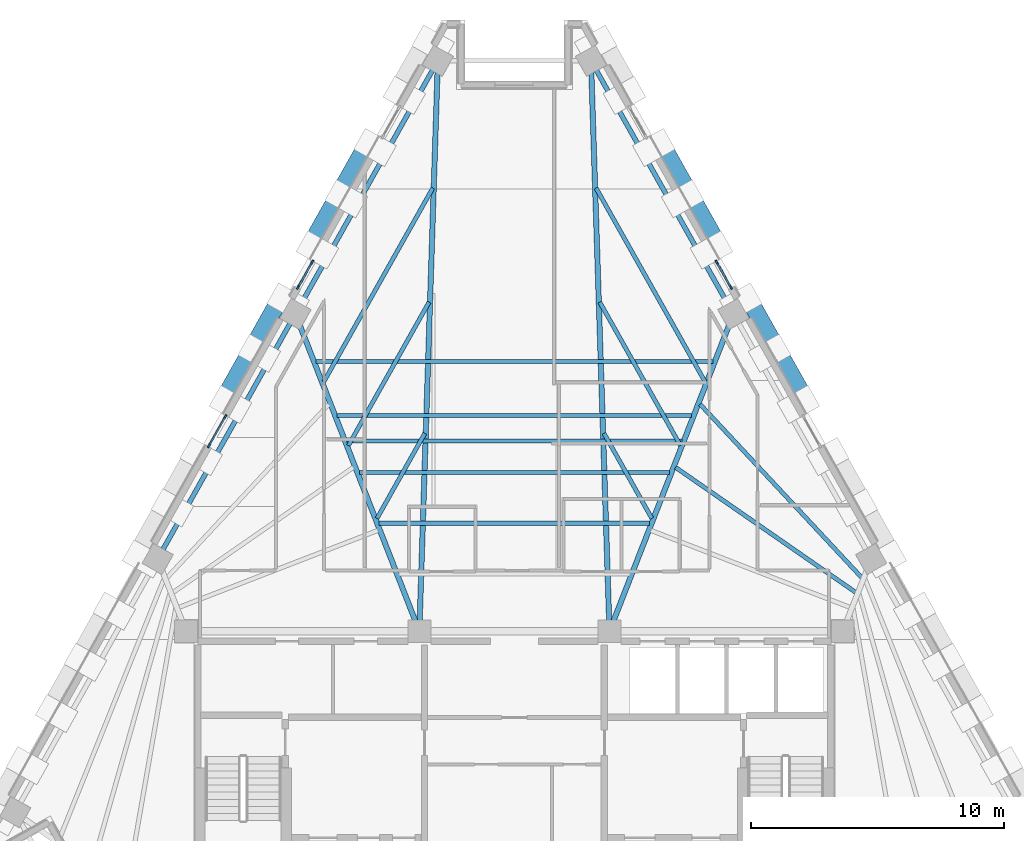
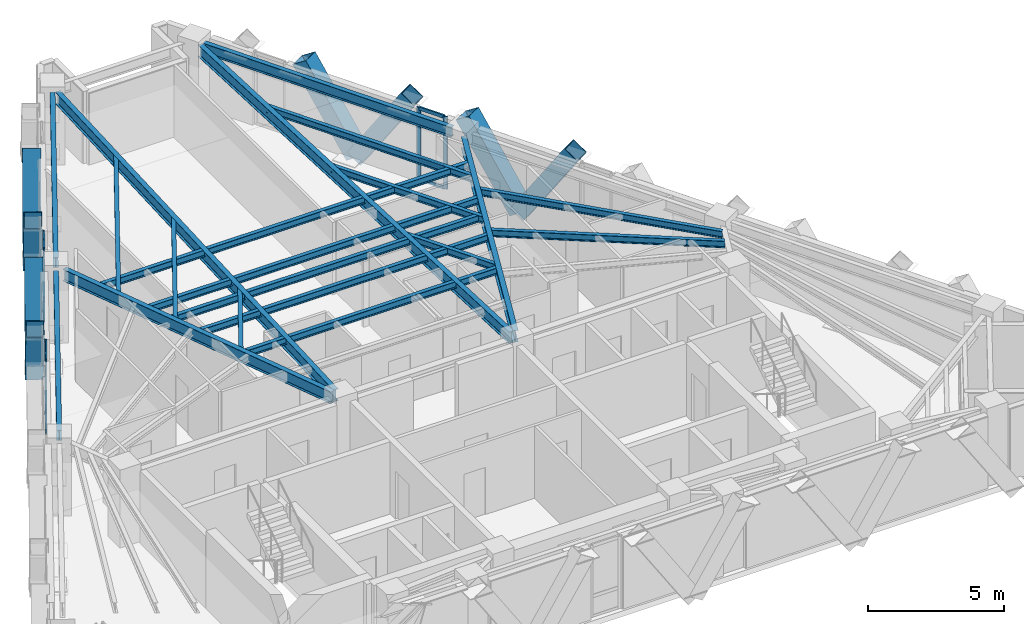
# One storey, part 3 of 12: 23 members, 20 beams, 3 elements without a shape of their own.
"""IFC4 building model written with IfcOpenShell, lengths in metres."""

from ifc_helpers import new_model, si_unit, direction, frame, origin, origin_2d, place, context, subcontext, project, spatial, rectangle, hollow_rectangle, i_section, extrude, material, material_profile, profile_set, type_object, element, aggregate, save


model = new_model("IFC4")

# Units and contexts
model_context = context("Model", 3, precision=1e-05, world=origin(), true_north=direction((0.0, 1.0)))
body_context = subcontext(model_context, "Body", "Model", "MODEL_VIEW")
ifc_project = project(units=[si_unit("LENGTHUNIT", "METRE"), si_unit("AREAUNIT", "SQUARE_METRE"), si_unit("VOLUMEUNIT", "CUBIC_METRE"), si_unit("PLANEANGLEUNIT", "RADIAN"), si_unit("MASSUNIT", "GRAM", prefix="KILO")], contexts=[model_context])

# Site, building, storey
site_placement = place(None, origin())
site = spatial("IfcSite", under=ifc_project, at=site_placement, CompositionType="ELEMENT")
building_placement = place(site_placement, origin())
building = spatial("IfcBuilding", under=site, at=building_placement, Name="Quenlor Broadcast Tower", CompositionType="ELEMENT")
storey_placement = place(building_placement, frame((0.0, 0.0, 211.39990234375)))
storey = spatial("IfcBuildingStorey", under=building, at=storey_placement, Name="L58", CompositionType="ELEMENT", Elevation=211.39990234375)

# Curtain wall, members
ifc_material_1 = material(Name="Architectural Terracotta and Low-E Glazing", Category="masonry")
curtain_wall_type = type_object("IfcCurtainWallType", Name="Unitised Terracotta Curtain Wall System Z4", PredefinedType="NOTDEFINED", material=ifc_material_1)
curtain_wall_1_placement = place(storey_placement, origin())
curtain_wall_1 = element("IfcCurtainWall", 1, at=curtain_wall_1_placement, inside=storey, type_object=curtain_wall_type, Name="L58 Curtain Wall CW4 (L58-NEA-G2)", PredefinedType="NOTDEFINED")
ifc_material_2 = material(Name="Aluminium 6063-T6", Category="aluminium")
ifc_material_profile_1 = material_profile(ifc_material_2, rectangle(XDim=0.068115234375, YDim=0.179931640625, at=origin_2d()))
ifc_profile_set_1 = profile_set([ifc_material_profile_1], Name="Aluminium 6063-T6 MULL68x180")
member_type_1 = type_object("IfcMemberType", Name="CW4 Aluminium Mullion MULL_CW4", PredefinedType="MULLION", material=ifc_profile_set_1)
member_1_placement = place(storey_placement, frame((7.979248046875, 9.755859375, 0.0), z_axis=(0.0, 0.0, 1.0), x_axis=(0.871557755022, 0.490292850918, 0.0)))
member_1 = element("IfcMember", 2, at=member_1_placement, type_object=member_type_1, Name="CW4 mullion 1", PredefinedType="MULLION", context=body_context, shape_type="SweptSolid", body=[
    extrude(rectangle(XDim=0.068115234375, YDim=0.179931640625, at=origin_2d()), origin(), (0.0, 0.0, 1.0), 3.25),
])
member_2_placement = place(storey_placement, frame((8.534912109375, 8.767822265625, 0.0), z_axis=(0.0, 0.0, 1.0), x_axis=(0.871557755022, 0.490292850918, 0.0)))
member_2 = element("IfcMember", 3, at=member_2_placement, type_object=member_type_1, Name="CW4 mullion 2", PredefinedType="MULLION", context=body_context, shape_type="SweptSolid", body=[
    extrude(rectangle(XDim=0.068115234375, YDim=0.179931640625, at=origin_2d()), origin(), (0.0, 0.0, 1.0), 3.25),
])

curtain_wall_2_placement = place(storey_placement, origin())
curtain_wall_2 = element("IfcCurtainWall", 4, at=curtain_wall_2_placement, inside=storey, type_object=curtain_wall_type, Name="L58 Curtain Wall CW4 (L58-NWC-G1)", PredefinedType="NOTDEFINED")
member_3_placement = place(storey_placement, frame((-8.534912109375, 8.767822265625, 0.0), z_axis=(0.0, 0.0, 1.0), x_axis=(-0.871557755022, 0.490292850918, 0.0)))
member_3 = element("IfcMember", 5, at=member_3_placement, type_object=member_type_1, Name="CW4 mullion 1", PredefinedType="MULLION", context=body_context, shape_type="SweptSolid", body=[
    extrude(rectangle(XDim=0.068115234375, YDim=0.179931640625, at=origin_2d()), origin(), (0.0, 0.0, 1.0), 3.25),
])
member_4_placement = place(storey_placement, frame((-7.979248046875, 9.755859375, 0.0), z_axis=(0.0, 0.0, 1.0), x_axis=(-0.871557755022, 0.490292850918, 0.0)))
member_4 = element("IfcMember", 6, at=member_4_placement, type_object=member_type_1, Name="CW4 mullion 2", PredefinedType="MULLION", context=body_context, shape_type="SweptSolid", body=[
    extrude(rectangle(XDim=0.068115234375, YDim=0.179931640625, at=origin_2d()), origin(), (0.0, 0.0, 1.0), 3.25),
])

curtain_wall_3_placement = place(storey_placement, origin())
curtain_wall_3 = element("IfcCurtainWall", 7, at=curtain_wall_3_placement, inside=storey, type_object=curtain_wall_type, Name="L58 Curtain Wall CW4 (L58-NW-G1)", PredefinedType="NOTDEFINED")
member_5_placement = place(storey_placement, frame((-12.049560546875, 2.519775390625, 0.0), z_axis=(0.0, 0.0, 1.0), x_axis=(-0.871560008943, 0.490288844266, 0.0)))
member_5 = element("IfcMember", 8, at=member_5_placement, type_object=member_type_1, Name="CW4 mullion 1", PredefinedType="MULLION", context=body_context, shape_type="SweptSolid", body=[
    extrude(rectangle(XDim=0.068115234375, YDim=0.179931640625, at=origin_2d()), origin(), (0.0, 0.0, 1.0), 3.25),
])
member_6_placement = place(storey_placement, frame((-11.408203125, 3.65966796875, 0.0), z_axis=(0.0, 0.0, 1.0), x_axis=(-0.871560008943, 0.490288844266, 0.0)))
member_6 = element("IfcMember", 9, at=member_6_placement, type_object=member_type_1, Name="CW4 mullion 2", PredefinedType="MULLION", context=body_context, shape_type="SweptSolid", body=[
    extrude(rectangle(XDim=0.068115234375, YDim=0.179931640625, at=origin_2d()), origin(), (0.0, 0.0, 1.0), 3.25),
])

# Member
ifc_material_3 = material(Name="Aluminium 6063-T6", Category="aluminium")
ifc_material_profile_2 = material_profile(ifc_material_3, rectangle(XDim=0.068115234375, YDim=0.14990234375, at=origin_2d()))
ifc_profile_set_2 = profile_set([ifc_material_profile_2], Name="Aluminium 6063-T6 TRAN68x150")
member_type_2 = type_object("IfcMemberType", Name="CW4 Aluminium Transom TRAN_CW4", PredefinedType="USERDEFINED", material=ifc_profile_set_2)
member_7_placement = place(storey_placement, frame((7.995849609375, 9.72607421875, 0.0341796875), z_axis=(0.490304750356, -0.871551060913, 0.0), x_axis=(0.871551060913, 0.490304750356, 0.0)))
member_7 = element("IfcMember", 10, at=member_7_placement, type_object=member_type_2, Name="CW4 transom 1.1", ObjectType="TRANSOM", PredefinedType="USERDEFINED", context=body_context, shape_type="SweptSolid", body=[
    extrude(rectangle(XDim=0.068115234375, YDim=0.14990234375, at=origin_2d()), origin(), (0.0, 0.0, 1.0), 1.065673828125),
])

member_8_placement = place(storey_placement, frame((7.995849609375, 9.72607421875, 0.9501953125), z_axis=(0.490304750356, -0.871551060913, 0.0), x_axis=(0.871551060913, 0.490304750356, 0.0)))
member_8 = element("IfcMember", 11, at=member_8_placement, type_object=member_type_2, Name="CW4 transom 1.2", ObjectType="TRANSOM", PredefinedType="USERDEFINED", context=body_context, shape_type="SweptSolid", body=[
    extrude(rectangle(XDim=0.068115234375, YDim=0.14990234375, at=origin_2d()), origin(), (0.0, 0.0, 1.0), 1.065673828125),
])

member_9_placement = place(storey_placement, frame((7.995849609375, 9.72607421875, 3.216064453125), z_axis=(0.490304750356, -0.871551060913, 0.0), x_axis=(0.871551060913, 0.490304750356, 0.0)))
member_9 = element("IfcMember", 12, at=member_9_placement, type_object=member_type_2, Name="CW4 transom 1.3", ObjectType="TRANSOM", PredefinedType="USERDEFINED", context=body_context, shape_type="SweptSolid", body=[
    extrude(rectangle(XDim=0.068115234375, YDim=0.14990234375, at=origin_2d()), origin(), (0.0, 0.0, 1.0), 1.065673828125),
])

aggregate(curtain_wall_1, [member_1, member_2, member_7, member_8, member_9])

member_10_placement = place(storey_placement, frame((-8.518310546875, 8.79736328125, 0.0341796875), z_axis=(0.490304750356, 0.871551060913, 0.0), x_axis=(-0.871551060913, 0.490304750356, 0.0)))
member_10 = element("IfcMember", 13, at=member_10_placement, type_object=member_type_2, Name="CW4 transom 1.1", ObjectType="TRANSOM", PredefinedType="USERDEFINED", context=body_context, shape_type="SweptSolid", body=[
    extrude(rectangle(XDim=0.068115234375, YDim=0.14990234375, at=origin_2d()), origin(), (0.0, 0.0, 1.0), 1.065673828125),
])

member_11_placement = place(storey_placement, frame((-8.518310546875, 8.79736328125, 0.9501953125), z_axis=(0.490304750356, 0.871551060913, 0.0), x_axis=(-0.871551060913, 0.490304750356, 0.0)))
member_11 = element("IfcMember", 14, at=member_11_placement, type_object=member_type_2, Name="CW4 transom 1.2", ObjectType="TRANSOM", PredefinedType="USERDEFINED", context=body_context, shape_type="SweptSolid", body=[
    extrude(rectangle(XDim=0.068115234375, YDim=0.14990234375, at=origin_2d()), origin(), (0.0, 0.0, 1.0), 1.065673828125),
])

member_12_placement = place(storey_placement, frame((-8.518310546875, 8.79736328125, 3.216064453125), z_axis=(0.490304750356, 0.871551060913, 0.0), x_axis=(-0.871551060913, 0.490304750356, 0.0)))
member_12 = element("IfcMember", 15, at=member_12_placement, type_object=member_type_2, Name="CW4 transom 1.3", ObjectType="TRANSOM", PredefinedType="USERDEFINED", context=body_context, shape_type="SweptSolid", body=[
    extrude(rectangle(XDim=0.068115234375, YDim=0.14990234375, at=origin_2d()), origin(), (0.0, 0.0, 1.0), 1.065673828125),
])

aggregate(curtain_wall_2, [member_3, member_4, member_10, member_11, member_12])

member_13_placement = place(storey_placement, frame((-12.032958984375, 2.54931640625, 0.0341796875), z_axis=(0.490233197009, 0.871591310506, 0.0), x_axis=(-0.871591310506, 0.490233197009, 0.0)))
member_13 = element("IfcMember", 16, at=member_13_placement, type_object=member_type_2, Name="CW4 transom 1.1", ObjectType="TRANSOM", PredefinedType="USERDEFINED", context=body_context, shape_type="SweptSolid", body=[
    extrude(rectangle(XDim=0.068115234375, YDim=0.14990234375, at=origin_2d()), origin(), (0.0, 0.0, 1.0), 1.239990234375),
])

member_14_placement = place(storey_placement, frame((-12.032958984375, 2.54931640625, 0.9501953125), z_axis=(0.490233197009, 0.871591310506, 0.0), x_axis=(-0.871591310506, 0.490233197009, 0.0)))
member_14 = element("IfcMember", 17, at=member_14_placement, type_object=member_type_2, Name="CW4 transom 1.2", ObjectType="TRANSOM", PredefinedType="USERDEFINED", context=body_context, shape_type="SweptSolid", body=[
    extrude(rectangle(XDim=0.068115234375, YDim=0.14990234375, at=origin_2d()), origin(), (0.0, 0.0, 1.0), 1.239990234375),
])

member_15_placement = place(storey_placement, frame((-12.032958984375, 2.54931640625, 3.216064453125), z_axis=(0.490233197009, 0.871591310506, 0.0), x_axis=(-0.871591310506, 0.490233197009, 0.0)))
member_15 = element("IfcMember", 18, at=member_15_placement, type_object=member_type_2, Name="CW4 transom 1.3", ObjectType="TRANSOM", PredefinedType="USERDEFINED", context=body_context, shape_type="SweptSolid", body=[
    extrude(rectangle(XDim=0.068115234375, YDim=0.14990234375, at=origin_2d()), origin(), (0.0, 0.0, 1.0), 1.239990234375),
])

aggregate(curtain_wall_3, [member_5, member_6, member_13, member_14, member_15])

# Members
ifc_material_4 = material(Name="Steel S355", Category="steel")
ifc_material_profile_3 = material_profile(ifc_material_4, hollow_rectangle(XDim=0.679931640625, YDim=0.679931640625, WallThickness=0.02490234375, at=origin_2d()))
ifc_profile_set_3 = profile_set([ifc_material_profile_3], Name="Steel S355 RHS680x680x25")
member_type_3 = type_object("IfcMemberType", Name="Perimeter Diagonal Lattice Brace Z3-Z4 Steel S355 RHS680x25", PredefinedType="BRACE", material=ifc_profile_set_3)
for number, where, z_axis, x_axis, name in (
    (19, (6.922607421875, 12.439697265625, -0.119873046875), (-0.269485495908, 0.479188912076, 0.835317636614), (-0.871620820774, -0.490180726664, 0.0), "L58 Perimeter Diamond Lattice NE-C1B"),
    (20, (6.936279296875, 12.415283203125, -0.119873046875), (0.269547055694, -0.479136497832, 0.835327840559), (0.871550060774, 0.49030652817, 0.0), "L58 Perimeter Diamond Lattice NE-C2S"),
):
    element("IfcMember", number, at=place(storey_placement, frame(where, z_axis=z_axis, x_axis=x_axis)), inside=storey, type_object=member_type_3, Name=name, PredefinedType="BRACE", context=body_context, shape_type="SweptSolid", body=[
        extrude(hollow_rectangle(XDim=0.679931640625, YDim=0.679931640625, WallThickness=0.02490234375, at=origin_2d()), origin(), (0.0, 0.0, 1.0), 4.18994140625),
    ])
member_16_placement = place(storey_placement, frame((10.351806640625, 6.343505859375, -0.119873046875), z_axis=(-0.269539530269, 0.479181387144, 0.835304519224), x_axis=(-0.871575537125, -0.490261239633, 0.0)))
element("IfcMember", 21, at=member_16_placement, inside=storey, type_object=member_type_3, Name="L58 Perimeter Diamond Lattice NE-C2B", PredefinedType="BRACE", context=body_context, shape_type="SweptSolid", body=[
    extrude(hollow_rectangle(XDim=0.679931640625, YDim=0.679931640625, WallThickness=0.02490234375, at=origin_2d()), origin(), (0.0, 0.0, 1.0), 4.190185546875),
])
for number, where, z_axis, x_axis, name in (
    (22, (10.365478515625, 6.319091796875, -0.119873046875), (0.269547055694, -0.479136497832, 0.835327840559), (0.871550060774, 0.49030652817, 0.0), "L58 Perimeter Diamond Lattice NE-C3S"),
    (23, (-10.365478515625, 6.319091796875, -0.119873046875), (-0.269547055694, -0.479136497832, 0.835327840559), (0.871550060774, -0.49030652817, 0.0), "L58 Perimeter Diamond Lattice NW-C3B"),
):
    element("IfcMember", number, at=place(storey_placement, frame(where, z_axis=z_axis, x_axis=x_axis)), inside=storey, type_object=member_type_3, Name=name, PredefinedType="BRACE", context=body_context, shape_type="SweptSolid", body=[
        extrude(hollow_rectangle(XDim=0.679931640625, YDim=0.679931640625, WallThickness=0.02490234375, at=origin_2d()), origin(), (0.0, 0.0, 1.0), 4.18994140625),
    ])
member_17_placement = place(storey_placement, frame((-10.351806640625, 6.343505859375, -0.119873046875), z_axis=(0.269539530269, 0.479181387144, 0.835304519224), x_axis=(-0.871575537125, 0.490261239633, 0.0)))
element("IfcMember", 24, at=member_17_placement, inside=storey, type_object=member_type_3, Name="L58 Perimeter Diamond Lattice NW-C4S", PredefinedType="BRACE", context=body_context, shape_type="SweptSolid", body=[
    extrude(hollow_rectangle(XDim=0.679931640625, YDim=0.679931640625, WallThickness=0.02490234375, at=origin_2d()), origin(), (0.0, 0.0, 1.0), 4.190185546875),
])
for number, where, z_axis, x_axis, name in (
    (25, (-6.936279296875, 12.415283203125, -0.119873046875), (-0.269547055694, -0.479136497832, 0.835327840559), (0.871550060774, -0.49030652817, 0.0), "L58 Perimeter Diamond Lattice NW-C4B"),
    (26, (-6.922607421875, 12.439697265625, -0.119873046875), (0.269485495908, 0.479188912076, 0.835317636614), (-0.871620820774, 0.490180726664, 0.0), "L58 Perimeter Diamond Lattice NW-C5S"),
):
    element("IfcMember", number, at=place(storey_placement, frame(where, z_axis=z_axis, x_axis=x_axis)), inside=storey, type_object=member_type_3, Name=name, PredefinedType="BRACE", context=body_context, shape_type="SweptSolid", body=[
        extrude(hollow_rectangle(XDim=0.679931640625, YDim=0.679931640625, WallThickness=0.02490234375, at=origin_2d()), origin(), (0.0, 0.0, 1.0), 4.18994140625),
    ])

# Beams
ifc_material_5 = material(Name="Steel S355", Category="steel")
ifc_material_profile_4 = material_profile(ifc_material_5, i_section(OverallWidth=0.18994140625, OverallDepth=0.453857421875, WebThickness=0.008544921875, FlangeThickness=0.0126953125, FilletRadius=0.011474609375, at=origin_2d()))
ifc_profile_set_4 = profile_set([ifc_material_profile_4], Name="Steel S355 460UB67.1")
beam_type_1 = type_object("IfcBeamType", Name="Perimeter Spandrel Beam Z4 Steel S355 460UB67.1", PredefinedType="SPANDREL", material=ifc_profile_set_4)
for number, where, z_axis, x_axis, name in (
    (27, (8.438720703125, 8.072265625, 3.023193359375), (-0.490281935429, 0.871563895415, 0.0), (-0.871563895415, -0.490281935429, 0.0), "L58 Spandrel Beam NE3-NE4"),
    (28, (-3.221435546875, 17.346923828125, 3.023193359375), (-0.490281935429, -0.871563895415, 0.0), (0.871563895415, -0.490281935429, 0.0), "L58 Spandrel Beam NW1-NW2"),
):
    element("IfcBeam", number, at=place(storey_placement, frame(where, z_axis=z_axis, x_axis=x_axis)), inside=storey, type_object=beam_type_1, Name=name, PredefinedType="SPANDREL", context=body_context, shape_type="SweptSolid", body=[
        extrude(i_section(OverallWidth=0.18994140625, OverallDepth=0.453857421875, WebThickness=0.008544921875, FlangeThickness=0.0126953125, FilletRadius=0.011474609375, at=origin_2d()), origin(), (0.0, 0.0, 1.0), 10.641357421875),
    ])
beam_1_placement = place(storey_placement, frame((-8.840576171875, 7.357666015625, 3.023193359375), z_axis=(-0.490263496537, -0.871574267612, 0.0), x_axis=(0.871574267612, -0.490263496537, 0.0)))
element("IfcBeam", 29, at=beam_1_placement, inside=storey, type_object=beam_type_1, Name="L58 Spandrel Beam NW2-NW3", PredefinedType="SPANDREL", context=body_context, shape_type="SweptSolid", body=[
    extrude(i_section(OverallWidth=0.18994140625, OverallDepth=0.453857421875, WebThickness=0.008544921875, FlangeThickness=0.0126953125, FilletRadius=0.011474609375, at=origin_2d()), origin(), (0.0, 0.0, 1.0), 10.271728515625),
])
ifc_material_6 = material(Name="Steel S355", Category="steel")
ifc_material_profile_5 = material_profile(ifc_material_6, i_section(OverallWidth=0.166015625, OverallDepth=0.30712890625, WebThickness=0.006591796875, FlangeThickness=0.01171875, FilletRadius=0.011474609375, at=origin_2d()))
ifc_profile_set_5 = profile_set([ifc_material_profile_5], Name="Steel S355 310UB46.2")
beam_type_2 = type_object("IfcBeamType", Name="Tower Composite Joist Z4-Z5 Steel S355 310UB46.2", PredefinedType="JOIST", material=ifc_profile_set_5)
beam_2_placement = place(storey_placement, frame((-6.603759765625, 2.708984375, 3.096435546875), z_axis=(1.0, 0.0, 0.0), x_axis=(0.0, 1.0, 0.0)))
element("IfcBeam", 30, at=beam_2_placement, inside=storey, type_object=beam_type_2, Name="L58 Secondary Composite Joist 2", PredefinedType="JOIST", context=body_context, shape_type="SweptSolid", body=[
    extrude(i_section(OverallWidth=0.166015625, OverallDepth=0.30712890625, WebThickness=0.006591796875, FlangeThickness=0.01171875, FilletRadius=0.011474609375, at=origin_2d()), origin(), (0.0, 0.0, 1.0), 13.20751953125),
])
beam_3_placement = place(storey_placement, frame((-5.33251953125, -0.544921875, 3.096435546875), z_axis=(1.0, 0.0, 0.0), x_axis=(0.0, 1.0, 0.0)))
element("IfcBeam", 31, at=beam_3_placement, inside=storey, type_object=beam_type_2, Name="L58 Secondary Composite Joist 3", PredefinedType="JOIST", context=body_context, shape_type="SweptSolid", body=[
    extrude(i_section(OverallWidth=0.166015625, OverallDepth=0.30712890625, WebThickness=0.006591796875, FlangeThickness=0.01171875, FilletRadius=0.011474609375, at=origin_2d()), origin(), (0.0, 0.0, 1.0), 10.6650390625),
])
beam_4_placement = place(storey_placement, frame((-6.11474609375, 1.45751953125, 3.096435546875), z_axis=(1.0, 0.0, 0.0), x_axis=(0.0, 1.0, 0.0)))
element("IfcBeam", 32, at=beam_4_placement, inside=storey, type_object=beam_type_2, Name="L58 Secondary Composite Joist 4", PredefinedType="JOIST", context=body_context, shape_type="SweptSolid", body=[
    extrude(i_section(OverallWidth=0.166015625, OverallDepth=0.30712890625, WebThickness=0.006591796875, FlangeThickness=0.01171875, FilletRadius=0.011474609375, at=origin_2d()), origin(), (0.0, 0.0, 1.0), 12.2294921875),
])
beam_5_placement = place(storey_placement, frame((-6.994873046875, 3.710205078125, 3.096435546875), z_axis=(1.0, 0.0, 0.0), x_axis=(0.0, 1.0, 0.0)))
element("IfcBeam", 33, at=beam_5_placement, inside=storey, type_object=beam_type_2, Name="L58 Secondary Composite Joist 5", PredefinedType="JOIST", context=body_context, shape_type="SweptSolid", body=[
    extrude(i_section(OverallWidth=0.166015625, OverallDepth=0.30712890625, WebThickness=0.006591796875, FlangeThickness=0.01171875, FilletRadius=0.011474609375, at=origin_2d()), origin(), (0.0, 0.0, 1.0), 13.98974609375),
])
beam_6_placement = place(storey_placement, frame((-7.826171875, 5.837646484375, 3.096435546875), z_axis=(1.0, 0.0, 0.0), x_axis=(0.0, 1.0, 0.0)))
element("IfcBeam", 34, at=beam_6_placement, inside=storey, type_object=beam_type_2, Name="L58 Secondary Composite Joist 6", PredefinedType="JOIST", context=body_context, shape_type="SweptSolid", body=[
    extrude(i_section(OverallWidth=0.166015625, OverallDepth=0.30712890625, WebThickness=0.006591796875, FlangeThickness=0.01171875, FilletRadius=0.011474609375, at=origin_2d()), origin(), (0.0, 0.0, 1.0), 15.65234375),
])
beam_7_placement = place(storey_placement, frame((13.470458984375, -3.273681640625, 3.096435546875), z_axis=(-0.821539857981, 0.570151086773, 0.0), x_axis=(-0.570151086773, -0.821539857981, 0.0)))
element("IfcBeam", 35, at=beam_7_placement, inside=storey, type_object=beam_type_2, Name="L58 Secondary Composite Joist 11", PredefinedType="JOIST", context=body_context, shape_type="SweptSolid", body=[
    extrude(i_section(OverallWidth=0.166015625, OverallDepth=0.30712890625, WebThickness=0.006591796875, FlangeThickness=0.01171875, FilletRadius=0.011474609375, at=origin_2d()), origin(), (0.0, 0.0, 1.0), 8.656982421875),
])
beam_8_placement = place(storey_placement, frame((13.707275390625, -2.691162109375, 3.096435546875), z_axis=(-0.682034672805, 0.731319837754, 0.0), x_axis=(-0.731319837754, -0.682034672805, 0.0)))
element("IfcBeam", 36, at=beam_8_placement, inside=storey, type_object=beam_type_2, Name="L58 Secondary Composite Joist 12", PredefinedType="JOIST", context=body_context, shape_type="SweptSolid", body=[
    extrude(i_section(OverallWidth=0.166015625, OverallDepth=0.30712890625, WebThickness=0.006591796875, FlangeThickness=0.01171875, FilletRadius=0.011474609375, at=origin_2d()), origin(), (0.0, 0.0, 1.0), 9.357421875),
])
beam_9_placement = place(storey_placement, frame((-3.533935546875, 3.0068359375, 3.096435546875), z_axis=(-0.490243182397, -0.871585694073, 0.0), x_axis=(0.871585694073, -0.490243182397, 0.0)))
element("IfcBeam", 37, at=beam_9_placement, inside=storey, type_object=beam_type_2, Name="L58 Secondary Composite Joist 25", PredefinedType="JOIST", context=body_context, shape_type="SweptSolid", body=[
    extrude(i_section(OverallWidth=0.166015625, OverallDepth=0.30712890625, WebThickness=0.006591796875, FlangeThickness=0.01171875, FilletRadius=0.011474609375, at=origin_2d()), origin(), (0.0, 0.0, 1.0), 3.8515625),
])
beam_10_placement = place(storey_placement, frame((-3.3662109375, 8.182861328125, 3.096435546875), z_axis=(-0.490230865807, -0.871592621705, 0.0), x_axis=(0.871592621705, -0.490230865807, 0.0)))
element("IfcBeam", 38, at=beam_10_placement, inside=storey, type_object=beam_type_2, Name="L58 Secondary Composite Joist 26", PredefinedType="JOIST", context=body_context, shape_type="SweptSolid", body=[
    extrude(i_section(OverallWidth=0.166015625, OverallDepth=0.30712890625, WebThickness=0.006591796875, FlangeThickness=0.01171875, FilletRadius=0.011474609375, at=origin_2d()), origin(), (0.0, 0.0, 1.0), 6.487548828125),
])
beam_11_placement = place(storey_placement, frame((-3.22021484375, 12.68359375, 3.096435546875), z_axis=(-0.490261239633, -0.871575537125, 0.0), x_axis=(0.871575537125, -0.490261239633, 0.0)))
element("IfcBeam", 39, at=beam_11_placement, inside=storey, type_object=beam_type_2, Name="L58 Secondary Composite Joist 27", PredefinedType="JOIST", context=body_context, shape_type="SweptSolid", body=[
    extrude(i_section(OverallWidth=0.166015625, OverallDepth=0.30712890625, WebThickness=0.006591796875, FlangeThickness=0.01171875, FilletRadius=0.011474609375, at=origin_2d()), origin(), (0.0, 0.0, 1.0), 8.77978515625),
])
beam_12_placement = place(storey_placement, frame((3.533935546875, 3.0068359375, 3.096435546875), z_axis=(0.490243182397, -0.871585694073, 0.0), x_axis=(0.871585694073, 0.490243182397, 0.0)))
element("IfcBeam", 40, at=beam_12_placement, inside=storey, type_object=beam_type_2, Name="L58 Secondary Composite Joist 28", PredefinedType="JOIST", context=body_context, shape_type="SweptSolid", body=[
    extrude(i_section(OverallWidth=0.166015625, OverallDepth=0.30712890625, WebThickness=0.006591796875, FlangeThickness=0.01171875, FilletRadius=0.011474609375, at=origin_2d()), origin(), (0.0, 0.0, 1.0), 3.8515625),
])
beam_13_placement = place(storey_placement, frame((3.3662109375, 8.182861328125, 3.096435546875), z_axis=(0.490230865807, -0.871592621705, 0.0), x_axis=(0.871592621705, 0.490230865807, 0.0)))
element("IfcBeam", 41, at=beam_13_placement, inside=storey, type_object=beam_type_2, Name="L58 Secondary Composite Joist 29", PredefinedType="JOIST", context=body_context, shape_type="SweptSolid", body=[
    extrude(i_section(OverallWidth=0.166015625, OverallDepth=0.30712890625, WebThickness=0.006591796875, FlangeThickness=0.01171875, FilletRadius=0.011474609375, at=origin_2d()), origin(), (0.0, 0.0, 1.0), 6.487548828125),
])
beam_14_placement = place(storey_placement, frame((3.22021484375, 12.68359375, 3.096435546875), z_axis=(0.490261239633, -0.871575537125, 0.0), x_axis=(0.871575537125, 0.490261239633, 0.0)))
element("IfcBeam", 42, at=beam_14_placement, inside=storey, type_object=beam_type_2, Name="L58 Secondary Composite Joist 30", PredefinedType="JOIST", context=body_context, shape_type="SweptSolid", body=[
    extrude(i_section(OverallWidth=0.166015625, OverallDepth=0.30712890625, WebThickness=0.006591796875, FlangeThickness=0.01171875, FilletRadius=0.011474609375, at=origin_2d()), origin(), (0.0, 0.0, 1.0), 8.77978515625),
])
ifc_material_7 = material(Name="Steel S355", Category="steel")
ifc_material_profile_6 = material_profile(ifc_material_7, i_section(OverallWidth=0.208984375, OverallDepth=0.5283203125, WebThickness=0.009521484375, FlangeThickness=0.01318359375, FilletRadius=0.013916015625, at=origin_2d()))
ifc_profile_set_6 = profile_set([ifc_material_profile_6], Name="Steel S355 530UB82.0")
beam_type_3 = type_object("IfcBeamType", Name="Tower Primary Floor Beam Z4 Steel S355 530UB82.0", PredefinedType="BEAM", material=ifc_profile_set_6)
beam_15_placement = place(storey_placement, frame((8.490478515625, 7.3330078125, 2.986083984375), z_axis=(-0.363926160921, -0.931427801495, 0.0), x_axis=(0.931427801495, -0.363926160921, 0.0)))
element("IfcBeam", 43, at=beam_15_placement, inside=storey, type_object=beam_type_3, Name="L58 Primary Radial Beam NE3", PredefinedType="BEAM", context=body_context, shape_type="SweptSolid", body=[
    extrude(i_section(OverallWidth=0.208984375, OverallDepth=0.5283203125, WebThickness=0.009521484375, FlangeThickness=0.01318359375, FilletRadius=0.013916015625, at=origin_2d()), origin(), (0.0, 0.0, 1.0), 12.646240234375),
])
for number, where, z_axis, x_axis, name in (
    (44, (3.03369140625, 17.29443359375, 2.986083984375), (0.032408228632, -0.999474715397, 0.0), (0.999474715397, 0.032408228632, 0.0), "L58 Primary Radial Beam NE4"),
    (45, (-3.03369140625, 17.29443359375, 2.986083984375), (-0.032408228632, -0.999474715397, 0.0), (0.999474715397, -0.032408228632, 0.0), "L58 Primary Radial Beam NW1"),
):
    element("IfcBeam", number, at=place(storey_placement, frame(where, z_axis=z_axis, x_axis=x_axis)), inside=storey, type_object=beam_type_3, Name=name, PredefinedType="BEAM", context=body_context, shape_type="SweptSolid", body=[
        extrude(i_section(OverallWidth=0.208984375, OverallDepth=0.5283203125, WebThickness=0.009521484375, FlangeThickness=0.01318359375, FilletRadius=0.013916015625, at=origin_2d()), origin(), (0.0, 0.0, 1.0), 21.72607421875),
    ])
beam_16_placement = place(storey_placement, frame((-8.490478515625, 7.3330078125, 2.986083984375), z_axis=(0.363926160921, -0.931427801495, 0.0), x_axis=(0.931427801495, 0.363926160921, 0.0)))
element("IfcBeam", 46, at=beam_16_placement, inside=storey, type_object=beam_type_3, Name="L58 Primary Radial Beam NW2", PredefinedType="BEAM", context=body_context, shape_type="SweptSolid", body=[
    extrude(i_section(OverallWidth=0.208984375, OverallDepth=0.5283203125, WebThickness=0.009521484375, FlangeThickness=0.01318359375, FilletRadius=0.013916015625, at=origin_2d()), origin(), (0.0, 0.0, 1.0), 12.646240234375),
])

save(model, "model.ifc")
